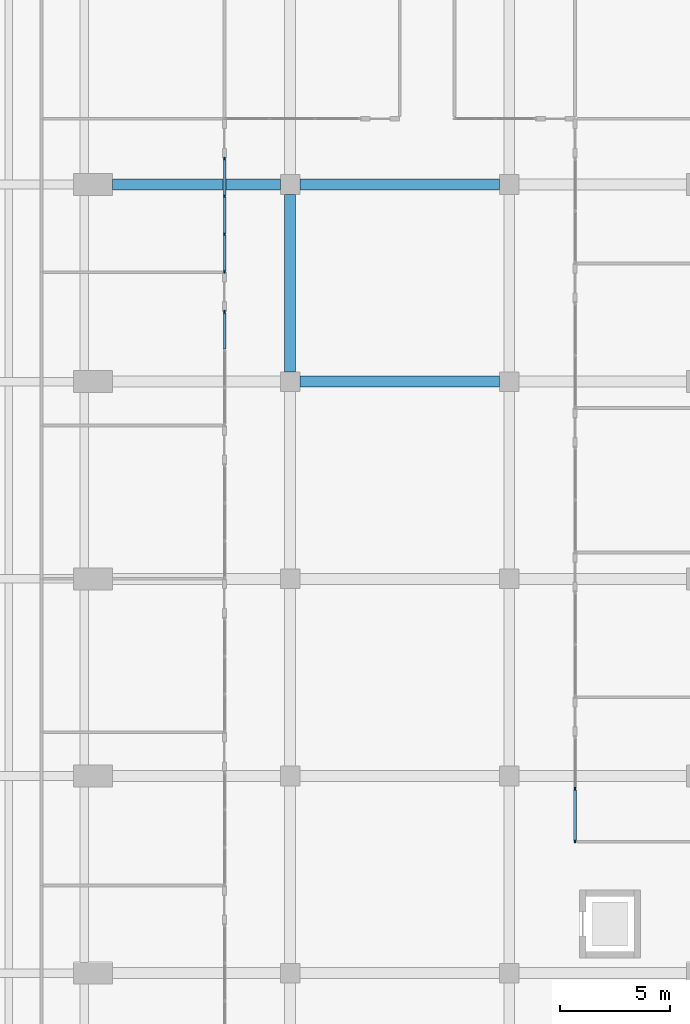
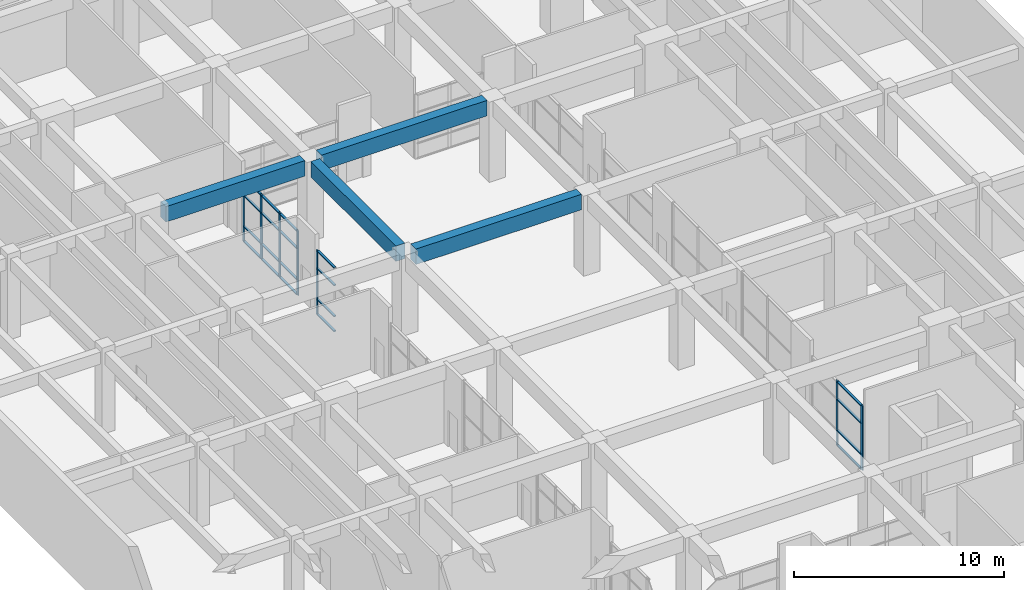
# One storey, part 7 of 29: 27 members, 4 beams, 3 elements without a shape of their own.
"""IFC4 building model written with IfcOpenShell, lengths in metres."""

from ifc_helpers import new_model, si_unit, direction, frame, origin, origin_2d, place, context, subcontext, project, spatial, rectangle, extrude, material, material_profile, profile_set, type_object, element, aggregate, save


model = new_model("IFC4")

# Units and contexts
model_context = context("Model", 3, precision=1e-05, world=origin(), true_north=direction((0.0, 1.0)))
body_context = subcontext(model_context, "Body", "Model", "MODEL_VIEW")
ifc_project = project(units=[si_unit("LENGTHUNIT", "METRE"), si_unit("AREAUNIT", "SQUARE_METRE"), si_unit("VOLUMEUNIT", "CUBIC_METRE"), si_unit("PLANEANGLEUNIT", "RADIAN"), si_unit("MASSUNIT", "GRAM", prefix="KILO")], contexts=[model_context])

# Site, building, storey
site_placement = place(None, origin())
site = spatial("IfcSite", under=ifc_project, at=site_placement, CompositionType="ELEMENT")
building_placement = place(site_placement, origin())
building = spatial("IfcBuilding", under=site, at=building_placement, Name="Elmora Arch Market Hall", CompositionType="ELEMENT")
storey_placement = place(building_placement, frame((0.0, 0.0, -5.0)))
storey = spatial("IfcBuildingStorey", under=building, at=storey_placement, Name="LG", CompositionType="ELEMENT", Elevation=-5.0)

# Beams
ifc_material_1 = material(Name="Concrete C32/40", Category="concrete")
ifc_material_profile_1 = material_profile(ifc_material_1, rectangle(XDim=0.5, YDim=0.89990234375, at=origin_2d()), Name="Basement girder 500x900")
ifc_profile_set_1 = profile_set([ifc_material_profile_1], Name="Concrete C32/40")
beam_type = type_object("IfcBeamType", Name="Basement girder 500x900", PredefinedType="BEAM", material=ifc_profile_set_1)
beam_1_placement = place(storey_placement, frame((24.449951171875, 72.0, 4.199951171875), z_axis=(1.0, 0.0, 0.0), x_axis=(0.0, 1.0, 0.0)))
element("IfcBeam", 1, at=beam_1_placement, inside=storey, type_object=beam_type, Name="Basement girder HR6 LG.2", PredefinedType="BEAM", context=body_context, shape_type="SweptSolid", body=[
    extrude(rectangle(XDim=0.5, YDim=0.89990234375, at=origin_2d()), origin(), (0.0, 0.0, 1.0), 9.10009765625),
])
beam_2_placement = place(storey_placement, frame((15.89990234375, 81.0, 4.199951171875), z_axis=(1.0, 0.0, 0.0), x_axis=(0.0, 1.0, 0.0)))
element("IfcBeam", 2, at=beam_2_placement, inside=storey, type_object=beam_type, Name="Basement girder HR7 LG.1", PredefinedType="BEAM", context=body_context, shape_type="SweptSolid", body=[
    extrude(rectangle(XDim=0.5, YDim=0.89990234375, at=origin_2d()), origin(), (0.0, 0.0, 1.0), 7.650146484375),
])
beam_3_placement = place(storey_placement, frame((24.449951171875, 81.0, 4.199951171875), z_axis=(1.0, 0.0, 0.0), x_axis=(0.0, 1.0, 0.0)))
element("IfcBeam", 3, at=beam_3_placement, inside=storey, type_object=beam_type, Name="Basement girder HR7 LG.2", PredefinedType="BEAM", context=body_context, shape_type="SweptSolid", body=[
    extrude(rectangle(XDim=0.5, YDim=0.89990234375, at=origin_2d()), origin(), (0.0, 0.0, 1.0), 9.10009765625),
])
beam_4_placement = place(storey_placement, frame((24.0, 72.449951171875, 4.199951171875), z_axis=(0.0, 1.0, 0.0), x_axis=(-1.0, 0.0, 0.0)))
element("IfcBeam", 4, at=beam_4_placement, inside=storey, type_object=beam_type, Name="Basement girder HC1 LG.6", PredefinedType="BEAM", context=body_context, shape_type="SweptSolid", body=[
    extrude(rectangle(XDim=0.5, YDim=0.89990234375, at=origin_2d()), origin(), (0.0, 0.0, 1.0), 8.10009765625),
])

# Curtain wall, member
ifc_material_2 = material(Name="Aluminium", Category="aluminium")
curtain_wall_type = type_object("IfcCurtainWallType", Name="Lower ground shopfront curtain wall", PredefinedType="NOTDEFINED", material=ifc_material_2)
curtain_wall_1_placement = place(storey_placement, origin())
curtain_wall_1 = element("IfcCurtainWall", 5, at=curtain_wall_1_placement, inside=storey, type_object=curtain_wall_type, Name="Lower ground shopfront W5", PredefinedType="NOTDEFINED")
ifc_material_3 = material(Name="Aluminium", Category="aluminium")
ifc_material_profile_2 = material_profile(ifc_material_3, rectangle(XDim=0.06005859375, YDim=0.159912109375, at=origin_2d()), Name="AL 60x160")
ifc_profile_set_2 = profile_set([ifc_material_profile_2], Name="Aluminium")
member_type_1 = type_object("IfcMemberType", Name="Mullion 60x160", PredefinedType="MULLION", material=ifc_profile_set_2)
member_1_placement = place(storey_placement, frame((21.0, 75.169921875, 0.0), z_axis=(0.0, 0.0, 1.0), x_axis=(-1.0, 0.0, 0.0)))
member_1 = element("IfcMember", 6, at=member_1_placement, type_object=member_type_1, Name="CW6 mullion 4", PredefinedType="MULLION", context=body_context, shape_type="SweptSolid", body=[
    extrude(rectangle(XDim=0.06005859375, YDim=0.159912109375, at=origin_2d()), origin(), (0.0, 0.0, 1.0), 3.75),
])

# Curtain wall, members
curtain_wall_2_placement = place(storey_placement, origin())
curtain_wall_2 = element("IfcCurtainWall", 7, at=curtain_wall_2_placement, inside=storey, type_object=curtain_wall_type, Name="Lower ground shopfront W6", PredefinedType="NOTDEFINED")
member_2_placement = place(storey_placement, frame((21.0, 77.030029296875, 0.0), z_axis=(0.0, 0.0, 1.0), x_axis=(-1.0, 0.0, 0.0)))
member_2 = element("IfcMember", 8, at=member_2_placement, type_object=member_type_1, Name="CW6 mullion 1", PredefinedType="MULLION", context=body_context, shape_type="SweptSolid", body=[
    extrude(rectangle(XDim=0.06005859375, YDim=0.159912109375, at=origin_2d()), origin(), (0.0, 0.0, 1.0), 3.75),
])
member_3_placement = place(storey_placement, frame((21.0, 78.7333984375, 0.0), z_axis=(0.0, 0.0, 1.0), x_axis=(-1.0, 0.0, 0.0)))
member_3 = element("IfcMember", 9, at=member_3_placement, type_object=member_type_1, Name="CW6 mullion 2", PredefinedType="MULLION", context=body_context, shape_type="SweptSolid", body=[
    extrude(rectangle(XDim=0.06005859375, YDim=0.159912109375, at=origin_2d()), origin(), (0.0, 0.0, 1.0), 3.75),
])
member_4_placement = place(storey_placement, frame((21.0, 80.466552734375, 0.0), z_axis=(0.0, 0.0, 1.0), x_axis=(-1.0, 0.0, 0.0)))
member_4 = element("IfcMember", 10, at=member_4_placement, type_object=member_type_1, Name="CW6 mullion 3", PredefinedType="MULLION", context=body_context, shape_type="SweptSolid", body=[
    extrude(rectangle(XDim=0.06005859375, YDim=0.159912109375, at=origin_2d()), origin(), (0.0, 0.0, 1.0), 3.75),
])
member_5_placement = place(storey_placement, frame((21.0, 82.169921875, 0.0), z_axis=(0.0, 0.0, 1.0), x_axis=(-1.0, 0.0, 0.0)))
member_5 = element("IfcMember", 11, at=member_5_placement, type_object=member_type_1, Name="CW6 mullion 4", PredefinedType="MULLION", context=body_context, shape_type="SweptSolid", body=[
    extrude(rectangle(XDim=0.06005859375, YDim=0.159912109375, at=origin_2d()), origin(), (0.0, 0.0, 1.0), 3.75),
])

curtain_wall_3_placement = place(storey_placement, origin())
curtain_wall_3 = element("IfcCurtainWall", 12, at=curtain_wall_3_placement, inside=storey, type_object=curtain_wall_type, Name="Lower ground shopfront E1", PredefinedType="NOTDEFINED")
member_6_placement = place(storey_placement, frame((37.0, 51.030029296875, 0.0), z_axis=(0.0, 0.0, 1.0), x_axis=(-1.0, 0.0, 0.0)))
member_6 = element("IfcMember", 13, at=member_6_placement, type_object=member_type_1, Name="CW6 mullion 1", PredefinedType="MULLION", context=body_context, shape_type="SweptSolid", body=[
    extrude(rectangle(XDim=0.06005859375, YDim=0.159912109375, at=origin_2d()), origin(), (0.0, 0.0, 1.0), 3.75),
])
member_7_placement = place(storey_placement, frame((37.0, 53.39990234375, 0.0), z_axis=(0.0, 0.0, 1.0), x_axis=(-1.0, 0.0, 0.0)))
member_7 = element("IfcMember", 14, at=member_7_placement, type_object=member_type_1, Name="CW6 mullion 2", PredefinedType="MULLION", context=body_context, shape_type="SweptSolid", body=[
    extrude(rectangle(XDim=0.06005859375, YDim=0.159912109375, at=origin_2d()), origin(), (0.0, 0.0, 1.0), 3.75),
])

# Member
ifc_material_4 = material(Name="Aluminium", Category="aluminium")
ifc_material_profile_3 = material_profile(ifc_material_4, rectangle(XDim=0.1201171875, YDim=0.06005859375, at=origin_2d()), Name="AL 120x60")
ifc_profile_set_3 = profile_set([ifc_material_profile_3], Name="Aluminium")
member_type_2 = type_object("IfcMemberType", Name="Transom 120x60", PredefinedType="USERDEFINED", material=ifc_profile_set_3)
member_8_placement = place(storey_placement, frame((21.0, 73.49658203125, 0.030029296875), z_axis=(0.0, 1.0, 0.0), x_axis=(-1.0, 0.0, 0.0)))
member_8 = element("IfcMember", 15, at=member_8_placement, type_object=member_type_2, Name="CW6 transom 3.1", ObjectType="TRANSOM", PredefinedType="USERDEFINED", context=body_context, shape_type="SweptSolid", body=[
    extrude(rectangle(XDim=0.1201171875, YDim=0.06005859375, at=origin_2d()), origin(), (0.0, 0.0, 1.0), 1.643310546875),
])

member_9_placement = place(storey_placement, frame((21.0, 73.49658203125, 0.89990234375), z_axis=(0.0, 1.0, 0.0), x_axis=(-1.0, 0.0, 0.0)))
member_9 = element("IfcMember", 16, at=member_9_placement, type_object=member_type_2, Name="CW6 transom 3.2", ObjectType="TRANSOM", PredefinedType="USERDEFINED", context=body_context, shape_type="SweptSolid", body=[
    extrude(rectangle(XDim=0.1201171875, YDim=0.06005859375, at=origin_2d()), origin(), (0.0, 0.0, 1.0), 1.643310546875),
])

member_10_placement = place(storey_placement, frame((21.0, 73.49658203125, 2.699951171875), z_axis=(0.0, 1.0, 0.0), x_axis=(-1.0, 0.0, 0.0)))
member_10 = element("IfcMember", 17, at=member_10_placement, type_object=member_type_2, Name="CW6 transom 3.3", ObjectType="TRANSOM", PredefinedType="USERDEFINED", context=body_context, shape_type="SweptSolid", body=[
    extrude(rectangle(XDim=0.1201171875, YDim=0.06005859375, at=origin_2d()), origin(), (0.0, 0.0, 1.0), 1.643310546875),
])

member_11_placement = place(storey_placement, frame((21.0, 73.49658203125, 3.719970703125), z_axis=(0.0, 1.0, 0.0), x_axis=(-1.0, 0.0, 0.0)))
member_11 = element("IfcMember", 18, at=member_11_placement, type_object=member_type_2, Name="CW6 transom 3.4", ObjectType="TRANSOM", PredefinedType="USERDEFINED", context=body_context, shape_type="SweptSolid", body=[
    extrude(rectangle(XDim=0.1201171875, YDim=0.06005859375, at=origin_2d()), origin(), (0.0, 0.0, 1.0), 1.643310546875),
])

aggregate(curtain_wall_1, [member_1, member_8, member_9, member_10, member_11])

member_12_placement = place(storey_placement, frame((21.0, 77.06005859375, 0.030029296875), z_axis=(0.0, 1.0, 0.0), x_axis=(-1.0, 0.0, 0.0)))
member_12 = element("IfcMember", 19, at=member_12_placement, type_object=member_type_2, Name="CW6 transom 1.1", ObjectType="TRANSOM", PredefinedType="USERDEFINED", context=body_context, shape_type="SweptSolid", body=[
    extrude(rectangle(XDim=0.1201171875, YDim=0.06005859375, at=origin_2d()), origin(), (0.0, 0.0, 1.0), 1.643310546875),
])

member_13_placement = place(storey_placement, frame((21.0, 77.06005859375, 0.89990234375), z_axis=(0.0, 1.0, 0.0), x_axis=(-1.0, 0.0, 0.0)))
member_13 = element("IfcMember", 20, at=member_13_placement, type_object=member_type_2, Name="CW6 transom 1.2", ObjectType="TRANSOM", PredefinedType="USERDEFINED", context=body_context, shape_type="SweptSolid", body=[
    extrude(rectangle(XDim=0.1201171875, YDim=0.06005859375, at=origin_2d()), origin(), (0.0, 0.0, 1.0), 1.643310546875),
])

member_14_placement = place(storey_placement, frame((21.0, 77.06005859375, 2.699951171875), z_axis=(0.0, 1.0, 0.0), x_axis=(-1.0, 0.0, 0.0)))
member_14 = element("IfcMember", 21, at=member_14_placement, type_object=member_type_2, Name="CW6 transom 1.3", ObjectType="TRANSOM", PredefinedType="USERDEFINED", context=body_context, shape_type="SweptSolid", body=[
    extrude(rectangle(XDim=0.1201171875, YDim=0.06005859375, at=origin_2d()), origin(), (0.0, 0.0, 1.0), 1.643310546875),
])

member_15_placement = place(storey_placement, frame((21.0, 77.06005859375, 3.719970703125), z_axis=(0.0, 1.0, 0.0), x_axis=(-1.0, 0.0, 0.0)))
member_15 = element("IfcMember", 22, at=member_15_placement, type_object=member_type_2, Name="CW6 transom 1.4", ObjectType="TRANSOM", PredefinedType="USERDEFINED", context=body_context, shape_type="SweptSolid", body=[
    extrude(rectangle(XDim=0.1201171875, YDim=0.06005859375, at=origin_2d()), origin(), (0.0, 0.0, 1.0), 1.643310546875),
])

member_16_placement = place(storey_placement, frame((21.0, 78.763427734375, 0.030029296875), z_axis=(0.0, 1.0, 0.0), x_axis=(-1.0, 0.0, 0.0)))
member_16 = element("IfcMember", 23, at=member_16_placement, type_object=member_type_2, Name="CW6 transom 2.1", ObjectType="TRANSOM", PredefinedType="USERDEFINED", context=body_context, shape_type="SweptSolid", body=[
    extrude(rectangle(XDim=0.1201171875, YDim=0.06005859375, at=origin_2d()), origin(), (0.0, 0.0, 1.0), 1.67333984375),
])

member_17_placement = place(storey_placement, frame((21.0, 78.763427734375, 0.89990234375), z_axis=(0.0, 1.0, 0.0), x_axis=(-1.0, 0.0, 0.0)))
member_17 = element("IfcMember", 24, at=member_17_placement, type_object=member_type_2, Name="CW6 transom 2.2", ObjectType="TRANSOM", PredefinedType="USERDEFINED", context=body_context, shape_type="SweptSolid", body=[
    extrude(rectangle(XDim=0.1201171875, YDim=0.06005859375, at=origin_2d()), origin(), (0.0, 0.0, 1.0), 1.67333984375),
])

member_18_placement = place(storey_placement, frame((21.0, 78.763427734375, 2.699951171875), z_axis=(0.0, 1.0, 0.0), x_axis=(-1.0, 0.0, 0.0)))
member_18 = element("IfcMember", 25, at=member_18_placement, type_object=member_type_2, Name="CW6 transom 2.3", ObjectType="TRANSOM", PredefinedType="USERDEFINED", context=body_context, shape_type="SweptSolid", body=[
    extrude(rectangle(XDim=0.1201171875, YDim=0.06005859375, at=origin_2d()), origin(), (0.0, 0.0, 1.0), 1.67333984375),
])

member_19_placement = place(storey_placement, frame((21.0, 78.763427734375, 3.719970703125), z_axis=(0.0, 1.0, 0.0), x_axis=(-1.0, 0.0, 0.0)))
member_19 = element("IfcMember", 26, at=member_19_placement, type_object=member_type_2, Name="CW6 transom 2.4", ObjectType="TRANSOM", PredefinedType="USERDEFINED", context=body_context, shape_type="SweptSolid", body=[
    extrude(rectangle(XDim=0.1201171875, YDim=0.06005859375, at=origin_2d()), origin(), (0.0, 0.0, 1.0), 1.67333984375),
])

member_20_placement = place(storey_placement, frame((21.0, 80.49658203125, 0.030029296875), z_axis=(0.0, 1.0, 0.0), x_axis=(-1.0, 0.0, 0.0)))
member_20 = element("IfcMember", 27, at=member_20_placement, type_object=member_type_2, Name="CW6 transom 3.1", ObjectType="TRANSOM", PredefinedType="USERDEFINED", context=body_context, shape_type="SweptSolid", body=[
    extrude(rectangle(XDim=0.1201171875, YDim=0.06005859375, at=origin_2d()), origin(), (0.0, 0.0, 1.0), 1.643310546875),
])

member_21_placement = place(storey_placement, frame((21.0, 80.49658203125, 0.89990234375), z_axis=(0.0, 1.0, 0.0), x_axis=(-1.0, 0.0, 0.0)))
member_21 = element("IfcMember", 28, at=member_21_placement, type_object=member_type_2, Name="CW6 transom 3.2", ObjectType="TRANSOM", PredefinedType="USERDEFINED", context=body_context, shape_type="SweptSolid", body=[
    extrude(rectangle(XDim=0.1201171875, YDim=0.06005859375, at=origin_2d()), origin(), (0.0, 0.0, 1.0), 1.643310546875),
])

member_22_placement = place(storey_placement, frame((21.0, 80.49658203125, 2.699951171875), z_axis=(0.0, 1.0, 0.0), x_axis=(-1.0, 0.0, 0.0)))
member_22 = element("IfcMember", 29, at=member_22_placement, type_object=member_type_2, Name="CW6 transom 3.3", ObjectType="TRANSOM", PredefinedType="USERDEFINED", context=body_context, shape_type="SweptSolid", body=[
    extrude(rectangle(XDim=0.1201171875, YDim=0.06005859375, at=origin_2d()), origin(), (0.0, 0.0, 1.0), 1.643310546875),
])

member_23_placement = place(storey_placement, frame((21.0, 80.49658203125, 3.719970703125), z_axis=(0.0, 1.0, 0.0), x_axis=(-1.0, 0.0, 0.0)))
member_23 = element("IfcMember", 30, at=member_23_placement, type_object=member_type_2, Name="CW6 transom 3.4", ObjectType="TRANSOM", PredefinedType="USERDEFINED", context=body_context, shape_type="SweptSolid", body=[
    extrude(rectangle(XDim=0.1201171875, YDim=0.06005859375, at=origin_2d()), origin(), (0.0, 0.0, 1.0), 1.643310546875),
])

aggregate(curtain_wall_2, [member_2, member_3, member_4, member_5, member_12, member_13, member_14, member_15, member_16, member_17, member_18, member_19, member_20, member_21, member_22, member_23])

member_24_placement = place(storey_placement, frame((37.0, 51.06005859375, 0.030029296875), z_axis=(0.0, 1.0, 0.0), x_axis=(-1.0, 0.0, 0.0)))
member_24 = element("IfcMember", 31, at=member_24_placement, type_object=member_type_2, Name="CW6 transom 1.1", ObjectType="TRANSOM", PredefinedType="USERDEFINED", context=body_context, shape_type="SweptSolid", body=[
    extrude(rectangle(XDim=0.1201171875, YDim=0.06005859375, at=origin_2d()), origin(), (0.0, 0.0, 1.0), 2.31005859375),
])

member_25_placement = place(storey_placement, frame((37.0, 51.06005859375, 0.89990234375), z_axis=(0.0, 1.0, 0.0), x_axis=(-1.0, 0.0, 0.0)))
member_25 = element("IfcMember", 32, at=member_25_placement, type_object=member_type_2, Name="CW6 transom 1.2", ObjectType="TRANSOM", PredefinedType="USERDEFINED", context=body_context, shape_type="SweptSolid", body=[
    extrude(rectangle(XDim=0.1201171875, YDim=0.06005859375, at=origin_2d()), origin(), (0.0, 0.0, 1.0), 2.31005859375),
])

member_26_placement = place(storey_placement, frame((37.0, 51.06005859375, 2.699951171875), z_axis=(0.0, 1.0, 0.0), x_axis=(-1.0, 0.0, 0.0)))
member_26 = element("IfcMember", 33, at=member_26_placement, type_object=member_type_2, Name="CW6 transom 1.3", ObjectType="TRANSOM", PredefinedType="USERDEFINED", context=body_context, shape_type="SweptSolid", body=[
    extrude(rectangle(XDim=0.1201171875, YDim=0.06005859375, at=origin_2d()), origin(), (0.0, 0.0, 1.0), 2.31005859375),
])

member_27_placement = place(storey_placement, frame((37.0, 51.06005859375, 3.719970703125), z_axis=(0.0, 1.0, 0.0), x_axis=(-1.0, 0.0, 0.0)))
member_27 = element("IfcMember", 34, at=member_27_placement, type_object=member_type_2, Name="CW6 transom 1.4", ObjectType="TRANSOM", PredefinedType="USERDEFINED", context=body_context, shape_type="SweptSolid", body=[
    extrude(rectangle(XDim=0.1201171875, YDim=0.06005859375, at=origin_2d()), origin(), (0.0, 0.0, 1.0), 2.31005859375),
])

aggregate(curtain_wall_3, [member_6, member_7, member_24, member_25, member_26, member_27])

save(model, "model.ifc")
